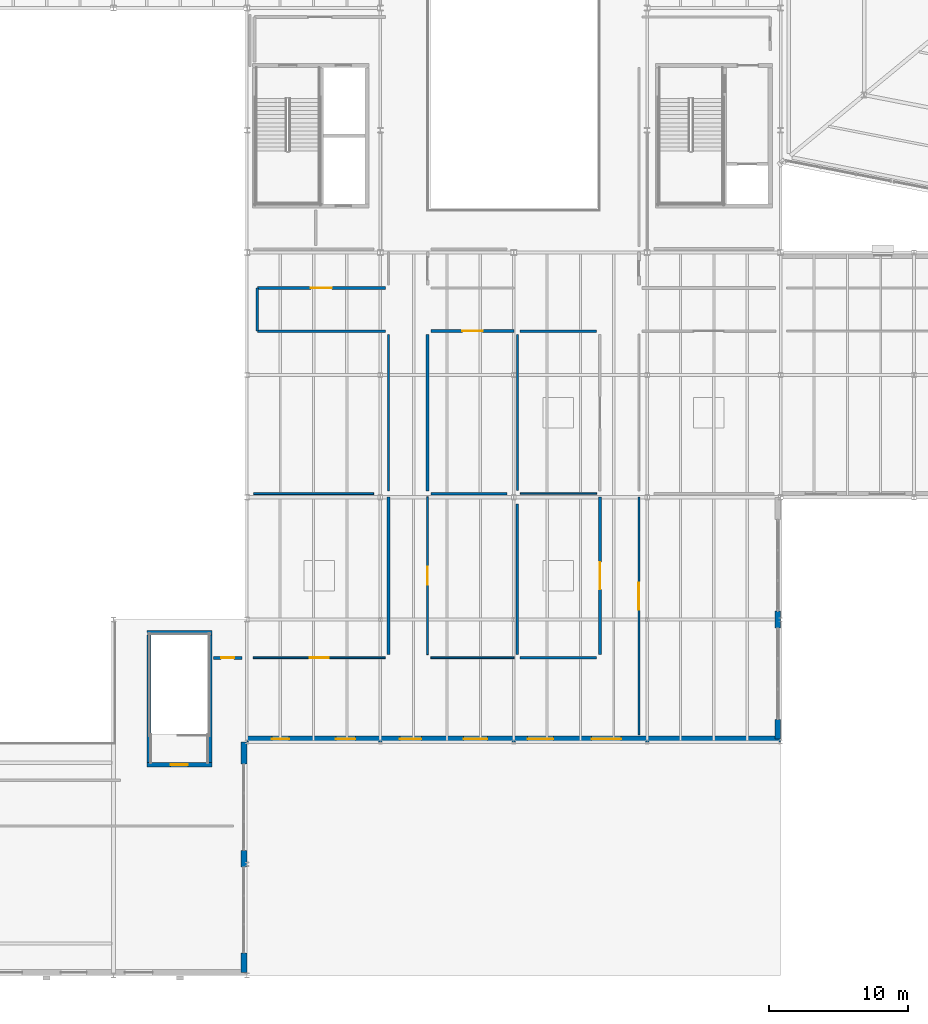
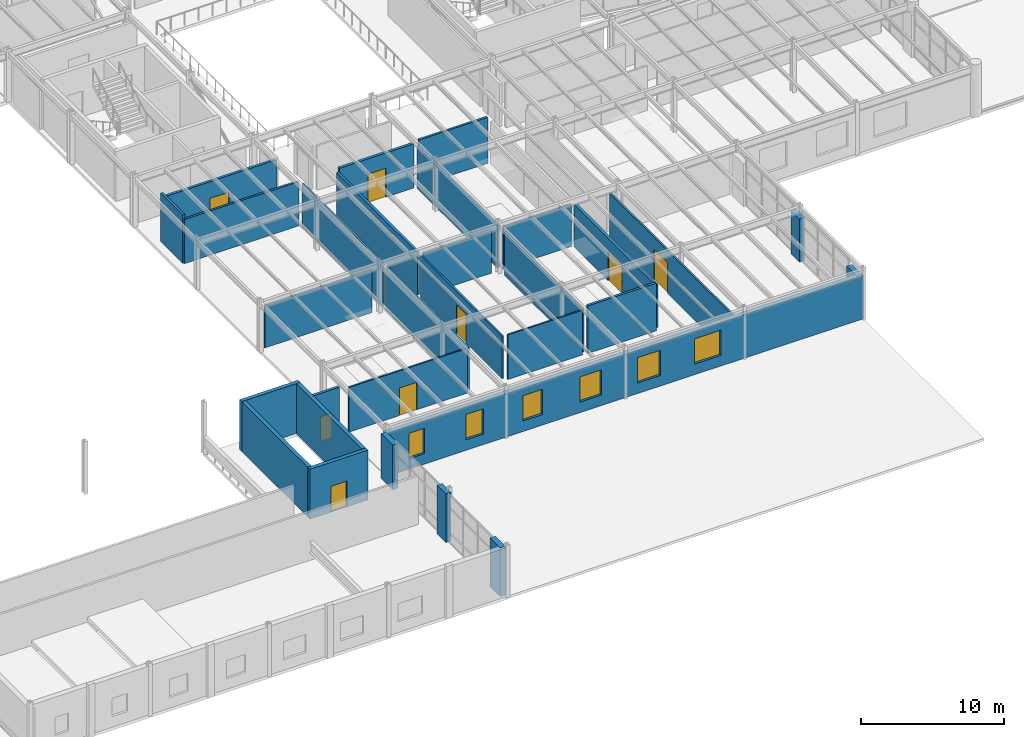
# One storey, part 57 of 77: 30 walls, 8 doors, 6 windows, 14 openings.
"""IFC4 building model written with IfcOpenShell, lengths in metres."""

from ifc_helpers import new_model, si_unit, direction, frame, frame_2d, origin, place, context, subcontext, project, spatial, rectangle, extrude, material, layer, layer_set, type_object, element, fill, save


model = new_model("IFC4")

# Units and contexts
model_context = context("Model", 3, precision=1e-05, world=origin(), true_north=direction((0.0, 1.0)))
body_context = subcontext(model_context, "Body", "Model", "MODEL_VIEW")
ifc_project = project(units=[si_unit("LENGTHUNIT", "METRE"), si_unit("AREAUNIT", "SQUARE_METRE"), si_unit("VOLUMEUNIT", "CUBIC_METRE"), si_unit("PLANEANGLEUNIT", "RADIAN"), si_unit("MASSUNIT", "GRAM", prefix="KILO")], contexts=[model_context])

# Site, building, storey
site_placement = place(None, origin())
site = spatial("IfcSite", under=ifc_project, at=site_placement, CompositionType="ELEMENT")
building_placement = place(site_placement, origin())
building = spatial("IfcBuilding", under=site, at=building_placement, Name="Sarnbrook Museum", CompositionType="ELEMENT")
storey_placement = place(building_placement, frame((0.0, 0.0, 5.60009765625)))
storey = spatial("IfcBuildingStorey", under=building, at=storey_placement, Name="L01", CompositionType="ELEMENT", Elevation=5.60009765625)

# Wall, opening, door
ifc_material_1 = material(Name="Concrete N50 (AS 3600, f'c = 50 MPa)", Category="concrete")
ifc_layer_1 = layer(ifc_material_1, 0.300048828125)
ifc_layer_set_1 = layer_set([ifc_layer_1], Name="Concrete N50 (AS 3600, f'c = 50 MPa)")
wall_type_1 = type_object("IfcWallType", Name="CoreWall_CWRC", PredefinedType="SHEAR", material=ifc_layer_set_1)
wall_1_placement = place(storey_placement, frame((73.60009765625, 19.949951171875, 0.0), z_axis=(0.0, 0.0, 1.0), x_axis=(1.0, 0.0, 0.0)))
wall_1 = element("IfcWall", 1, at=wall_1_placement, inside=storey, type_object=wall_type_1, Name="Core C8 Shear Wall S L01", PredefinedType="SHEAR", context=body_context, shape_type="SweptSolid", body=[
    extrude(rectangle(XDim=4.679931640625, YDim=0.300048828125, at=frame_2d((2.33984375, 0.0))), origin(), (0.0, 0.0, 1.0), 4.244873046875),
])
opening_1_placement = place(wall_1_placement, frame((1.715087890625, 0.0, 0.0)))
opening_1 = element("IfcOpeningElement", 2, at=opening_1_placement, cuts=wall_1, Name="Opening D-ST-ST8-L01", PredefinedType="OPENING", context=body_context, shape_type="SweptSolid", body=[
    extrude(rectangle(XDim=1.25, YDim=2.199951171875, at=frame_2d((0.625, 1.10009765625))), frame((0.0, 0.16015625, 0.0), z_axis=(0.0, -1.0, 0.0), x_axis=(1.0, 0.0, 0.0)), (0.0, 0.0, 1.0), 0.320068359375),
])
ifc_material_2 = material(Name="Tasmanian Oak Acoustic Timber", Category="wood")
door_type_1 = type_object("IfcDoorType", Name="FireDoor_FD120", OperationType="NOTDEFINED", PredefinedType="DOOR", material=ifc_material_2)
door_1_placement = place(opening_1_placement, origin())
door_1 = element("IfcDoor", 3, at=door_1_placement, inside=storey, type_object=door_type_1, Name="Exit Stair ST8 Fire Door L01", OperationType="SINGLE_SWING_RIGHT", OverallHeight=2.199951171875, OverallWidth=1.25, PredefinedType="DOOR", context=body_context, shape_type="SweptSolid", body=[
    extrude(rectangle(XDim=1.25, YDim=2.199951171875, at=frame_2d((0.625, 1.10009765625))), frame((0.0, 0.02490234375, 0.0), z_axis=(0.0, -1.0, 0.0), x_axis=(1.0, 0.0, 0.0)), (0.0, 0.0, 1.0), 0.050048828125),
])
fill(opening_1, door_1)

# Walls
wall_2_placement = place(storey_placement, frame((78.280029296875, 29.449951171875, 0.0), z_axis=(0.0, 0.0, 1.0), x_axis=(-1.0, 0.0, 0.0)))
element("IfcWall", 4, at=wall_2_placement, inside=storey, type_object=wall_type_1, Name="Core C8 Shear Wall N L01", PredefinedType="SHEAR", context=body_context, shape_type="SweptSolid", body=[
    extrude(rectangle(XDim=4.679931640625, YDim=0.300048828125, at=frame_2d((2.33984375, 0.0))), origin(), (0.0, 0.0, 1.0), 4.244873046875),
])
for number, where, z_axis, x_axis, name in (
    (5, (78.1298828125, 20.110107421875, 0.0), (0.0, 0.0, 1.0), (0.0, 1.0, 0.0), "Core C8 Shear Wall E L01"),
    (6, (73.75, 29.2900390625, 0.0), (0.0, 0.0, 1.0), (0.0, -1.0, 0.0), "Core C8 Shear Wall W L01"),
):
    element("IfcWall", number, at=place(storey_placement, frame(where, z_axis=z_axis, x_axis=x_axis)), inside=storey, type_object=wall_type_1, Name=name, PredefinedType="SHEAR", context=body_context, shape_type="SweptSolid", body=[
        extrude(rectangle(XDim=9.179931640625, YDim=0.300048828125, at=frame_2d((4.58984375, 0.0))), origin(), (0.0, 0.0, 1.0), 4.244873046875),
    ])

# Wall, opening, door
ifc_material_3 = material(Name="Fire-Rated Acoustic Gypsum Plasterboard")
ifc_layer_2 = layer(ifc_material_3, 0.1201171875)
ifc_layer_set_2 = layer_set([ifc_layer_2], Name="Fire-Rated Acoustic Gypsum Plasterboard")
wall_type_2 = type_object("IfcWallType", Name="PartWall_P120", PredefinedType="PARTITIONING", material=ifc_layer_set_2)
wall_3_placement = place(storey_placement, frame((90.77001953125, 27.64990234375, 0.0), z_axis=(0.0, 0.0, 1.0), x_axis=(-1.0, 0.0, 0.0)))
wall_3 = element("IfcWall", 7, at=wall_3_placement, inside=storey, type_object=wall_type_2, Name="Interior Partition Wall L01-0321", PredefinedType="PARTITIONING", context=body_context, shape_type="SweptSolid", body=[
    extrude(rectangle(XDim=9.52001953125, YDim=0.1201171875, at=frame_2d((4.760009765625, 0.0))), origin(), (0.0, 0.0, 1.0), 3.802978515625),
])
opening_2_placement = place(wall_3_placement, frame((4.070068359375, 0.0, 0.0)))
opening_2 = element("IfcOpeningElement", 8, at=opening_2_placement, cuts=wall_3, Name="Opening D-L01-100", PredefinedType="OPENING", context=body_context, shape_type="SweptSolid", body=[
    extrude(rectangle(XDim=1.3798828125, YDim=2.340087890625, at=frame_2d((0.68994140625, 1.169921875))), frame((0.0, 0.070068359375, 0.0), z_axis=(0.0, -1.0, 0.0), x_axis=(1.0, 0.0, 0.0)), (0.0, 0.0, 1.0), 0.14013671875),
])
door_type_2 = type_object("IfcDoorType", Name="IntDoor_DT24", OperationType="NOTDEFINED", PredefinedType="DOOR", material=ifc_material_2)
door_2_placement = place(opening_2_placement, frame((1.3798828125, 0.0, 0.0), z_axis=(0.0, 0.0, 1.0), x_axis=(-1.0, 0.0, 0.0)))
door_2 = element("IfcDoor", 9, at=door_2_placement, inside=storey, type_object=door_type_2, Name="Classical Casts & Reliefs Gallery L01-6 Door D-L01-100", OperationType="SINGLE_SWING_RIGHT", OverallHeight=2.340087890625, OverallWidth=1.3798828125, PredefinedType="DOOR", context=body_context, shape_type="SweptSolid", body=[
    extrude(rectangle(XDim=1.3798828125, YDim=2.340087890625, at=frame_2d((0.68994140625, 1.169921875))), frame((0.0, 0.02490234375, 0.0), z_axis=(0.0, -1.0, 0.0), x_axis=(1.0, 0.0, 0.0)), (0.0, 0.0, 1.0), 0.050048828125),
])
fill(opening_2, door_2)

# Walls
wall_4_placement = place(storey_placement, frame((100.030029296875, 27.64990234375, 0.0), z_axis=(0.0, 0.0, 1.0), x_axis=(-1.0, 0.0, 0.0)))
element("IfcWall", 10, at=wall_4_placement, inside=storey, type_object=wall_type_2, Name="Interior Partition Wall L01-0342", PredefinedType="PARTITIONING", context=body_context, shape_type="SweptSolid", body=[
    extrude(rectangle(XDim=6.0, YDim=0.1201171875, at=frame_2d((3.0, 0.0))), origin(), (0.0, 0.0, 1.0), 3.802978515625),
])
wall_5_placement = place(storey_placement, frame((100.47998046875, 39.4599609375, 0.0), z_axis=(0.0, 0.0, 1.0), x_axis=(1.0, 0.0, 0.0)))
element("IfcWall", 11, at=wall_5_placement, inside=storey, type_object=wall_type_2, Name="Interior Partition Wall L01-0433", PredefinedType="PARTITIONING", context=body_context, shape_type="SweptSolid", body=[
    extrude(rectangle(XDim=5.489990234375, YDim=0.1201171875, at=frame_2d((2.7451171875, 0.0))), origin(), (0.0, 0.0, 1.0), 3.61279296875),
])

# Wall, opening, door
ifc_layer_3 = layer(ifc_material_3, 0.135009765625)
ifc_layer_set_3 = layer_set([ifc_layer_3], Name="Fire-Rated Acoustic Gypsum Plasterboard")
wall_type_3 = type_object("IfcWallType", Name="PartWall_P135", PredefinedType="PARTITIONING", material=ifc_layer_set_3)
wall_6_placement = place(storey_placement, frame((93.800048828125, 27.8798828125, 0.0), z_axis=(0.0, 0.0, 1.0), x_axis=(0.0, 1.0, 0.0)))
wall_6 = element("IfcWall", 12, at=wall_6_placement, inside=storey, type_object=wall_type_3, Name="Interior Partition Wall L01-0341", PredefinedType="PARTITIONING", context=body_context, shape_type="SweptSolid", body=[
    extrude(rectangle(XDim=11.35009765625, YDim=0.135009765625, at=frame_2d((5.675048828125, 0.0))), origin(), (0.0, 0.0, 1.0), 3.61279296875),
])
opening_3_placement = place(wall_6_placement, frame((5.02490234375, 0.0, 0.0)))
opening_3 = element("IfcOpeningElement", 13, at=opening_3_placement, cuts=wall_6, Name="Opening D-L01-104", PredefinedType="OPENING", context=body_context, shape_type="SweptSolid", body=[
    extrude(rectangle(XDim=1.300048828125, YDim=2.4599609375, at=frame_2d((0.64990234375, 1.22998046875))), frame((0.0, 0.07763671875, 0.0), z_axis=(0.0, -1.0, 0.0), x_axis=(1.0, 0.0, 0.0)), (0.0, 0.0, 1.0), 0.155029296875),
])
door_type_3 = type_object("IfcDoorType", Name="IntDoor_DT28", OperationType="NOTDEFINED", PredefinedType="DOOR", material=ifc_material_2)
door_3_placement = place(opening_3_placement, origin())
door_3 = element("IfcDoor", 14, at=door_3_placement, inside=storey, type_object=door_type_3, Name="School Workshop Classroom L01-11 Door D-L01-104", OperationType="SINGLE_SWING_LEFT", OverallHeight=2.4599609375, OverallWidth=1.300048828125, PredefinedType="DOOR", context=body_context, shape_type="SweptSolid", body=[
    extrude(rectangle(XDim=1.300048828125, YDim=2.4599609375, at=frame_2d((0.64990234375, 1.22998046875))), frame((0.0, 0.02490234375, 0.0), z_axis=(0.0, -1.0, 0.0), x_axis=(1.0, 0.0, 0.0)), (0.0, 0.0, 1.0), 0.050048828125),
])
fill(opening_3, door_3)

# Walls
wall_7_placement = place(storey_placement, frame((81.280029296875, 39.4599609375, 0.0), z_axis=(0.0, 0.0, 1.0), x_axis=(1.0, 0.0, 0.0)))
element("IfcWall", 15, at=wall_7_placement, inside=storey, type_object=wall_type_3, Name="Interior Partition Wall L01-0425", PredefinedType="PARTITIONING", context=body_context, shape_type="SweptSolid", body=[
    extrude(rectangle(XDim=8.639892578125, YDim=0.135009765625, at=frame_2d((4.31982421875, 0.0))), origin(), (0.0, 0.0, 1.0), 3.61279296875),
])
ifc_layer_4 = layer(ifc_material_3, 0.14990234375)
ifc_layer_set_4 = layer_set([ifc_layer_4], Name="Fire-Rated Acoustic Gypsum Plasterboard")
wall_type_4 = type_object("IfcWallType", Name="PartWall_P150", PredefinedType="PARTITIONING", material=ifc_layer_set_4)
wall_8_placement = place(storey_placement, frame((91.0, 50.919921875, 0.0), z_axis=(0.0, 0.0, 1.0), x_axis=(0.0, -1.0, 0.0)))
element("IfcWall", 16, at=wall_8_placement, inside=storey, type_object=wall_type_4, Name="Interior Partition Wall L01-0326", PredefinedType="PARTITIONING", context=body_context, shape_type="SweptSolid", body=[
    extrude(rectangle(XDim=11.27001953125, YDim=0.14990234375, at=frame_2d((5.635009765625, 0.0))), origin(), (0.0, 0.0, 1.0), 3.61279296875),
])

# Wall, opening, door
wall_9_placement = place(storey_placement, frame((109.0, 22.10009765625, 0.0), z_axis=(0.0, 0.0, 1.0), x_axis=(0.0, 1.0, 0.0)))
wall_9 = element("IfcWall", 17, at=wall_9_placement, inside=storey, type_object=wall_type_4, Name="Interior Partition Wall L01-0361", PredefinedType="PARTITIONING", context=body_context, shape_type="SweptSolid", body=[
    extrude(rectangle(XDim=17.1298828125, YDim=0.14990234375, at=frame_2d((8.56494140625, 0.0))), origin(), (0.0, 0.0, 1.0), 3.61279296875),
])
opening_4_placement = place(wall_9_placement, frame((8.989990234375, 0.0, 0.0)))
opening_4 = element("IfcOpeningElement", 18, at=opening_4_placement, cuts=wall_9, Name="Opening D-L01-112", PredefinedType="OPENING", context=body_context, shape_type="SweptSolid", body=[
    extrude(rectangle(XDim=1.949951171875, YDim=2.580078125, at=frame_2d((0.97509765625, 1.2900390625))), frame((0.0, 0.0849609375, 0.0), z_axis=(0.0, -1.0, 0.0), x_axis=(1.0, 0.0, 0.0)), (0.0, 0.0, 1.0), 0.169921875),
])
door_type_4 = type_object("IfcDoorType", Name="IntDoor_DT36", OperationType="NOTDEFINED", PredefinedType="DOOR", material=ifc_material_2)
door_4_placement = place(opening_4_placement, origin())
door_4 = element("IfcDoor", 19, at=door_4_placement, inside=storey, type_object=door_type_4, Name="Wet Taxonomy Laboratory L01-19 Door D-L01-112", OperationType="DOUBLE_DOOR_SINGLE_SWING", OverallHeight=2.580078125, OverallWidth=1.949951171875, PredefinedType="DOOR", context=body_context, shape_type="SweptSolid", body=[
    extrude(rectangle(XDim=1.949951171875, YDim=2.580078125, at=frame_2d((0.97509765625, 1.2900390625))), frame((0.0, 0.02490234375, 0.0), z_axis=(0.0, -1.0, 0.0), x_axis=(1.0, 0.0, 0.0)), (0.0, 0.0, 1.0), 0.050048828125),
])
fill(opening_4, door_4)

# Walls
wall_10_placement = place(storey_placement, frame((100.260009765625, 50.919921875, 0.0), z_axis=(0.0, 0.0, 1.0), x_axis=(0.0, -1.0, 0.0)))
element("IfcWall", 20, at=wall_10_placement, inside=storey, type_object=wall_type_4, Name="Interior Partition Wall L01-0431", PredefinedType="PARTITIONING", context=body_context, shape_type="SweptSolid", body=[
    extrude(rectangle(XDim=11.239990234375, YDim=0.14990234375, at=frame_2d((5.6201171875, 0.0))), origin(), (0.0, 0.0, 1.0), 3.61279296875),
])
ifc_layer_5 = layer(ifc_material_3, 0.1650390625)
ifc_layer_set_5 = layer_set([ifc_layer_5], Name="Fire-Rated Acoustic Gypsum Plasterboard")
wall_type_5 = type_object("IfcWallType", Name="PartWall_P165", PredefinedType="PARTITIONING", material=ifc_layer_set_5)
wall_11_placement = place(storey_placement, frame((81.56005859375, 51.14990234375, 0.0), z_axis=(0.0, 0.0, 1.0), x_axis=(1.0, 0.0, 0.0)))
element("IfcWall", 21, at=wall_11_placement, inside=storey, type_object=wall_type_5, Name="Interior Partition Wall L01-0325", PredefinedType="PARTITIONING", context=body_context, shape_type="SweptSolid", body=[
    extrude(rectangle(XDim=9.2099609375, YDim=0.1650390625, at=frame_2d((4.60498046875, 0.0))), origin(), (0.0, 0.0, 1.0), 3.762939453125),
])
wall_12_placement = place(storey_placement, frame((100.449951171875, 51.14990234375, 0.0), z_axis=(0.0, 0.0, 1.0), x_axis=(1.0, 0.0, 0.0)))
element("IfcWall", 22, at=wall_12_placement, inside=storey, type_object=wall_type_5, Name="Interior Partition Wall L01-0353", PredefinedType="PARTITIONING", context=body_context, shape_type="SweptSolid", body=[
    extrude(rectangle(XDim=5.52001953125, YDim=0.1650390625, at=frame_2d((2.760009765625, 0.0))), origin(), (0.0, 0.0, 1.0), 3.916015625),
])
wall_13_placement = place(storey_placement, frame((100.260009765625, 38.719970703125, 0.0), z_axis=(0.0, 0.0, 1.0), x_axis=(0.0, -1.0, 0.0)))
element("IfcWall", 23, at=wall_13_placement, inside=storey, type_object=wall_type_5, Name="Interior Partition Wall L01-0430", PredefinedType="PARTITIONING", context=body_context, shape_type="SweptSolid", body=[
    extrude(rectangle(XDim=10.840087890625, YDim=0.1650390625, at=frame_2d((5.419921875, 0.0))), origin(), (0.0, 0.0, 1.0), 3.65283203125),
])
ifc_layer_6 = layer(ifc_material_3, 0.179931640625)
ifc_layer_set_6 = layer_set([ifc_layer_6], Name="Fire-Rated Acoustic Gypsum Plasterboard")
wall_type_6 = type_object("IfcWallType", Name="PartWall_P180", PredefinedType="PARTITIONING", material=ifc_layer_set_6)
wall_14_placement = place(storey_placement, frame((81.550048828125, 54.239990234375, 0.0), z_axis=(0.0, 0.0, 1.0), x_axis=(0.0, -1.0, 0.0)))
element("IfcWall", 24, at=wall_14_placement, inside=storey, type_object=wall_type_6, Name="Interior Partition Wall L01-0324", PredefinedType="PARTITIONING", context=body_context, shape_type="SweptSolid", body=[
    extrude(rectangle(XDim=3.080078125, YDim=0.179931640625, at=frame_2d((1.5400390625, 0.0))), origin(), (0.0, 0.0, 1.0), 4.1298828125),
])
wall_15_placement = place(storey_placement, frame((94.030029296875, 39.4599609375, 0.0), z_axis=(0.0, 0.0, 1.0), x_axis=(1.0, 0.0, 0.0)))
element("IfcWall", 25, at=wall_15_placement, inside=storey, type_object=wall_type_6, Name="Interior Partition Wall L01-0429", PredefinedType="PARTITIONING", context=body_context, shape_type="SweptSolid", body=[
    extrude(rectangle(XDim=5.489990234375, YDim=0.179931640625, at=frame_2d((2.7451171875, 0.0))), origin(), (0.0, 0.0, 1.0), 3.61279296875),
])

# Wall, opening, door
ifc_layer_7 = layer(ifc_material_3, 0.195068359375)
ifc_layer_set_7 = layer_set([ifc_layer_7], Name="Fire-Rated Acoustic Gypsum Plasterboard")
wall_type_7 = type_object("IfcWallType", Name="PartWall_P195", PredefinedType="PARTITIONING", material=ifc_layer_set_7)
wall_16_placement = place(storey_placement, frame((90.77001953125, 54.25, 0.0), z_axis=(0.0, 0.0, 1.0), x_axis=(-1.0, 0.0, 0.0)))
wall_16 = element("IfcWall", 26, at=wall_16_placement, inside=storey, type_object=wall_type_7, Name="Interior Partition Wall L01-0323", PredefinedType="PARTITIONING", context=body_context, shape_type="SweptSolid", body=[
    extrude(rectangle(XDim=9.2099609375, YDim=0.195068359375, at=frame_2d((4.60498046875, 0.0))), origin(), (0.0, 0.0, 1.0), 3.762939453125),
])
opening_5_placement = place(wall_16_placement, frame((3.844970703125, 0.0, 0.0)))
opening_5 = element("IfcOpeningElement", 27, at=opening_5_placement, cuts=wall_16, Name="Opening D-L01-101", PredefinedType="OPENING", context=body_context, shape_type="SweptSolid", body=[
    extrude(rectangle(XDim=1.52001953125, YDim=2.340087890625, at=frame_2d((0.760009765625, 1.169921875))), frame((0.0, 0.107421875, 0.0), z_axis=(0.0, -1.0, 0.0), x_axis=(1.0, 0.0, 0.0)), (0.0, 0.0, 1.0), 0.215087890625),
])
door_type_5 = type_object("IfcDoorType", Name="IntDoor_DT25", OperationType="NOTDEFINED", PredefinedType="DOOR", material=ifc_material_2)
door_5_placement = place(opening_5_placement, frame((1.52001953125, 0.0, 0.0), z_axis=(0.0, 0.0, 1.0), x_axis=(-1.0, 0.0, 0.0)))
door_5 = element("IfcDoor", 28, at=door_5_placement, inside=storey, type_object=door_type_5, Name="Digital Natural History Studio L01-7 Door D-L01-101", OperationType="SINGLE_SWING_LEFT", OverallHeight=2.340087890625, OverallWidth=1.52001953125, PredefinedType="DOOR", context=body_context, shape_type="SweptSolid", body=[
    extrude(rectangle(XDim=1.52001953125, YDim=2.340087890625, at=frame_2d((0.760009765625, 1.169921875))), frame((0.0, 0.02490234375, 0.0), z_axis=(0.0, -1.0, 0.0), x_axis=(1.0, 0.0, 0.0)), (0.0, 0.0, 1.0), 0.050048828125),
])
fill(opening_5, door_5)

# Walls
wall_17_placement = place(storey_placement, frame((93.800048828125, 39.64990234375, 0.0), z_axis=(0.0, 0.0, 1.0), x_axis=(0.0, 1.0, 0.0)))
element("IfcWall", 29, at=wall_17_placement, inside=storey, type_object=wall_type_7, Name="Interior Partition Wall L01-0344", PredefinedType="PARTITIONING", context=body_context, shape_type="SweptSolid", body=[
    extrude(rectangle(XDim=11.27001953125, YDim=0.195068359375, at=frame_2d((5.635009765625, 0.0))), origin(), (0.0, 0.0, 1.0), 3.61279296875),
])
wall_18_placement = place(storey_placement, frame((105.969970703125, 27.64990234375, 0.0), z_axis=(0.0, 0.0, 1.0), x_axis=(-1.0, 0.0, 0.0)))
element("IfcWall", 30, at=wall_18_placement, inside=storey, type_object=wall_type_7, Name="Interior Partition Wall L01-0351", PredefinedType="PARTITIONING", context=body_context, shape_type="SweptSolid", body=[
    extrude(rectangle(XDim=5.52001953125, YDim=0.195068359375, at=frame_2d((2.760009765625, 0.0))), origin(), (0.0, 0.0, 1.0), 4.052978515625),
])
ifc_layer_8 = layer(ifc_material_3, 0.2099609375)
ifc_layer_set_8 = layer_set([ifc_layer_8], Name="Fire-Rated Acoustic Gypsum Plasterboard")
wall_type_8 = type_object("IfcWallType", Name="PartWall_P210", PredefinedType="PARTITIONING", material=ifc_layer_set_8)
wall_19_placement = place(storey_placement, frame((91.0, 39.22998046875, 0.0), z_axis=(0.0, 0.0, 1.0), x_axis=(0.0, -1.0, 0.0)))
element("IfcWall", 31, at=wall_19_placement, inside=storey, type_object=wall_type_8, Name="Interior Partition Wall L01-0322", PredefinedType="PARTITIONING", context=body_context, shape_type="SweptSolid", body=[
    extrude(rectangle(XDim=11.35009765625, YDim=0.2099609375, at=frame_2d((5.675048828125, 0.0))), origin(), (0.0, 0.0, 1.0), 3.61279296875),
])

# Wall, opening, door
wall_20_placement = place(storey_placement, frame((94.030029296875, 51.14990234375, 0.0), z_axis=(0.0, 0.0, 1.0), x_axis=(1.0, 0.0, 0.0)))
wall_20 = element("IfcWall", 32, at=wall_20_placement, inside=storey, type_object=wall_type_8, Name="Interior Partition Wall L01-0343", PredefinedType="PARTITIONING", context=body_context, shape_type="SweptSolid", body=[
    extrude(rectangle(XDim=6.0, YDim=0.2099609375, at=frame_2d((3.0, 0.0))), origin(), (0.0, 0.0, 1.0), 3.762939453125),
])
opening_6_placement = place(wall_20_placement, frame((2.27001953125, 0.0, 0.0)))
opening_6 = element("IfcOpeningElement", 33, at=opening_6_placement, cuts=wall_20, Name="Opening D-L01-105", PredefinedType="OPENING", context=body_context, shape_type="SweptSolid", body=[
    extrude(rectangle(XDim=1.4599609375, YDim=2.4599609375, at=frame_2d((0.72998046875, 1.22998046875))), frame((0.0, 0.114990234375, 0.0), z_axis=(0.0, -1.0, 0.0), x_axis=(1.0, 0.0, 0.0)), (0.0, 0.0, 1.0), 0.22998046875),
])
door_type_6 = type_object("IfcDoorType", Name="IntDoor_DT29", OperationType="NOTDEFINED", PredefinedType="DOOR", material=ifc_material_2)
door_6_placement = place(opening_6_placement, origin())
door_6 = element("IfcDoor", 34, at=door_6_placement, inside=storey, type_object=door_type_6, Name="Wet Taxonomy Laboratory L01-12 Door D-L01-105", OperationType="SINGLE_SWING_RIGHT", OverallHeight=2.4599609375, OverallWidth=1.4599609375, PredefinedType="DOOR", context=body_context, shape_type="SweptSolid", body=[
    extrude(rectangle(XDim=1.4599609375, YDim=2.4599609375, at=frame_2d((0.72998046875, 1.22998046875))), frame((0.0, 0.02490234375, 0.0), z_axis=(0.0, -1.0, 0.0), x_axis=(1.0, 0.0, 0.0)), (0.0, 0.0, 1.0), 0.050048828125),
])
fill(opening_6, door_6)

wall_21_placement = place(storey_placement, frame((106.199951171875, 39.22998046875, 0.0), z_axis=(0.0, 0.0, 1.0), x_axis=(0.0, -1.0, 0.0)))
wall_21 = element("IfcWall", 35, at=wall_21_placement, inside=storey, type_object=wall_type_8, Name="Interior Partition Wall L01-0350", PredefinedType="PARTITIONING", context=body_context, shape_type="SweptSolid", body=[
    extrude(rectangle(XDim=11.35009765625, YDim=0.2099609375, at=frame_2d((5.675048828125, 0.0))), origin(), (0.0, 0.0, 1.0), 3.61279296875),
])
opening_7_placement = place(wall_21_placement, frame((4.695068359375, 0.0, 0.0)))
opening_7 = element("IfcOpeningElement", 36, at=opening_7_placement, cuts=wall_21, Name="Opening D-L01-108", PredefinedType="OPENING", context=body_context, shape_type="SweptSolid", body=[
    extrude(rectangle(XDim=1.9599609375, YDim=2.4599609375, at=frame_2d((0.97998046875, 1.22998046875))), frame((0.0, 0.114990234375, 0.0), z_axis=(0.0, -1.0, 0.0), x_axis=(1.0, 0.0, 0.0)), (0.0, 0.0, 1.0), 0.22998046875),
])
door_type_7 = type_object("IfcDoorType", Name="IntDoor_DT32", OperationType="NOTDEFINED", PredefinedType="DOOR", material=ifc_material_2)
door_7_placement = place(opening_7_placement, frame((1.9599609375, 0.0, 0.0), z_axis=(0.0, 0.0, 1.0), x_axis=(-1.0, 0.0, 0.0)))
door_7 = element("IfcDoor", 37, at=door_7_placement, inside=storey, type_object=door_type_7, Name="Marine Biodiversity Gallery L01-15 Door D-L01-108", OperationType="DOUBLE_DOOR_SINGLE_SWING", OverallHeight=2.4599609375, OverallWidth=1.9599609375, PredefinedType="DOOR", context=body_context, shape_type="SweptSolid", body=[
    extrude(rectangle(XDim=1.9599609375, YDim=2.4599609375, at=frame_2d((0.97998046875, 1.22998046875))), frame((0.0, 0.02490234375, 0.0), z_axis=(0.0, -1.0, 0.0), x_axis=(1.0, 0.0, 0.0)), (0.0, 0.0, 1.0), 0.050048828125),
])
fill(opening_7, door_7)

wall_22_placement = place(storey_placement, frame((80.43994140625, 27.64990234375, 0.0), z_axis=(0.0, 0.0, 1.0), x_axis=(-1.0, 0.0, 0.0)))
wall_22 = element("IfcWall", 38, at=wall_22_placement, inside=storey, type_object=wall_type_8, Name="Interior Partition Wall L01-0371", PredefinedType="PARTITIONING", context=body_context, shape_type="SweptSolid", body=[
    extrude(rectangle(XDim=2.0400390625, YDim=0.2099609375, at=frame_2d((1.02001953125, 0.0))), origin(), (0.0, 0.0, 1.0), 4.1298828125),
])
opening_8_placement = place(wall_22_placement, frame((0.550048828125, 0.0, 0.0)))
opening_8 = element("IfcOpeningElement", 39, at=opening_8_placement, cuts=wall_22, Name="Opening D-L01-116", PredefinedType="OPENING", context=body_context, shape_type="SweptSolid", body=[
    extrude(rectangle(XDim=0.93994140625, YDim=2.080078125, at=frame_2d((0.469970703125, 1.0400390625))), frame((0.0, 0.114990234375, 0.0), z_axis=(0.0, -1.0, 0.0), x_axis=(1.0, 0.0, 0.0)), (0.0, 0.0, 1.0), 0.22998046875),
])
door_type_8 = type_object("IfcDoorType", Name="IntDoor_DT02", OperationType="NOTDEFINED", PredefinedType="DOOR", material=ifc_material_2)
door_8_placement = place(opening_8_placement, frame((0.93994140625, 0.0, 0.0), z_axis=(0.0, 0.0, 1.0), x_axis=(-1.0, 0.0, 0.0)))
door_8 = element("IfcDoor", 40, at=door_8_placement, inside=storey, type_object=door_type_8, Name="Auditorium Balcony Hall Door D-L01-116", OperationType="SINGLE_SWING_RIGHT", OverallHeight=2.080078125, OverallWidth=0.93994140625, PredefinedType="DOOR", context=body_context, shape_type="SweptSolid", body=[
    extrude(rectangle(XDim=0.93994140625, YDim=2.080078125, at=frame_2d((0.469970703125, 1.0400390625))), frame((0.0, 0.02490234375, 0.0), z_axis=(0.0, -1.0, 0.0), x_axis=(1.0, 0.0, 0.0)), (0.0, 0.0, 1.0), 0.050048828125),
])
fill(opening_8, door_8)

# Wall, openings, windows
ifc_material_4 = material(Name="Barrabool Sandstone Ashlar Cladding", Category="masonry")
ifc_layer_9 = layer(ifc_material_4, 0.419921875)
ifc_layer_set_9 = layer_set([ifc_layer_9], Name="Barrabool Sandstone Ashlar Cladding")
wall_type_9 = type_object("IfcWallType", Name="Wall_SandstoneExt420", PredefinedType="SOLIDWALL", material=ifc_layer_set_9)
wall_23_placement = place(storey_placement, frame((80.800048828125, 21.81005859375, 0.0), z_axis=(0.0, 0.0, 1.0), x_axis=(1.0, 0.0, 0.0)))
wall_23 = element("IfcWall", 41, at=wall_23_placement, inside=storey, type_object=wall_type_9, Name="Classical Sandstone Facade Wall L01-01", PredefinedType="SOLIDWALL", context=body_context, shape_type="SweptSolid", body=[
    extrude(rectangle(XDim=38.39990234375, YDim=0.419921875, at=frame_2d((19.199951171875, 0.0))), origin(), (0.0, 0.0, 1.0), 3.66796875),
])
opening_9_placement = place(wall_23_placement, frame((1.800048828125, 0.0, 0.89990234375)))
opening_9 = element("IfcOpeningElement", 42, at=opening_9_placement, cuts=wall_23, Name="Opening WT-25", PredefinedType="OPENING", context=body_context, shape_type="SweptSolid", body=[
    extrude(rectangle(XDim=1.25, YDim=2.14990234375, at=frame_2d((0.625, 1.074951171875))), frame((0.0, 0.219970703125, 0.0), z_axis=(0.0, -1.0, 0.0), x_axis=(1.0, 0.0, 0.0)), (0.0, 0.0, 1.0), 0.43994140625),
])
opening_10_placement = place(wall_23_placement, frame((6.39990234375, 0.0, 0.89990234375)))
opening_10 = element("IfcOpeningElement", 43, at=opening_10_placement, cuts=wall_23, Name="Opening WT-26", PredefinedType="OPENING", context=body_context, shape_type="SweptSolid", body=[
    extrude(rectangle(XDim=1.39990234375, YDim=2.14990234375, at=frame_2d((0.699951171875, 1.074951171875))), frame((0.0, 0.219970703125, 0.0), z_axis=(0.0, -1.0, 0.0), x_axis=(1.0, 0.0, 0.0)), (0.0, 0.0, 1.0), 0.43994140625),
])
opening_11_placement = place(wall_23_placement, frame((11.0, 0.0, 0.89990234375)))
opening_11 = element("IfcOpeningElement", 44, at=opening_11_placement, cuts=wall_23, Name="Opening WT-27", PredefinedType="OPENING", context=body_context, shape_type="SweptSolid", body=[
    extrude(rectangle(XDim=1.550048828125, YDim=2.14990234375, at=frame_2d((0.77490234375, 1.074951171875))), frame((0.0, 0.219970703125, 0.0), z_axis=(0.0, -1.0, 0.0), x_axis=(1.0, 0.0, 0.0)), (0.0, 0.0, 1.0), 0.43994140625),
])
opening_12_placement = place(wall_23_placement, frame((15.60009765625, 0.0, 0.89990234375)))
opening_12 = element("IfcOpeningElement", 45, at=opening_12_placement, cuts=wall_23, Name="Opening WT-28", PredefinedType="OPENING", context=body_context, shape_type="SweptSolid", body=[
    extrude(rectangle(XDim=1.699951171875, YDim=2.14990234375, at=frame_2d((0.85009765625, 1.074951171875))), frame((0.0, 0.219970703125, 0.0), z_axis=(0.0, -1.0, 0.0), x_axis=(1.0, 0.0, 0.0)), (0.0, 0.0, 1.0), 0.43994140625),
])
opening_13_placement = place(wall_23_placement, frame((20.199951171875, 0.0, 0.89990234375)))
opening_13 = element("IfcOpeningElement", 46, at=opening_13_placement, cuts=wall_23, Name="Opening WT-29", PredefinedType="OPENING", context=body_context, shape_type="SweptSolid", body=[
    extrude(rectangle(XDim=1.85009765625, YDim=2.14990234375, at=frame_2d((0.925048828125, 1.074951171875))), frame((0.0, 0.219970703125, 0.0), z_axis=(0.0, -1.0, 0.0), x_axis=(1.0, 0.0, 0.0)), (0.0, 0.0, 1.0), 0.43994140625),
])
opening_14_placement = place(wall_23_placement, frame((24.800048828125, 0.0, 0.89990234375)))
opening_14 = element("IfcOpeningElement", 47, at=opening_14_placement, cuts=wall_23, Name="Opening WT-30", PredefinedType="OPENING", context=body_context, shape_type="SweptSolid", body=[
    extrude(rectangle(XDim=2.1201171875, YDim=2.14990234375, at=frame_2d((1.06005859375, 1.074951171875))), frame((0.0, 0.219970703125, 0.0), z_axis=(0.0, -1.0, 0.0), x_axis=(1.0, 0.0, 0.0)), (0.0, 0.0, 1.0), 0.43994140625),
])
ifc_material_5 = material(Name="Double-Glazed Low-Iron Laminated Safety Glass", Category="glass")
window_type_1 = type_object("IfcWindowType", Name="Window_Classical_WT25", PartitioningType="SINGLE_PANEL", PredefinedType="WINDOW", material=ifc_material_5)
window_1_placement = place(opening_9_placement, origin())
window_1 = element("IfcWindow", 48, at=window_1_placement, inside=storey, type_object=window_type_1, Name="Classical Bronze Casement Window WIN:L01:0025", OverallHeight=2.14990234375, OverallWidth=1.25, PartitioningType="SINGLE_PANEL", PredefinedType="WINDOW", context=body_context, shape_type="SweptSolid", body=[
    extrude(rectangle(XDim=1.25, YDim=2.14990234375, at=frame_2d((0.625, 1.074951171875))), frame((0.0, 0.030029296875, 0.0), z_axis=(0.0, -1.0, 0.0), x_axis=(1.0, 0.0, 0.0)), (0.0, 0.0, 1.0), 0.06005859375),
])
fill(opening_9, window_1)
window_type_2 = type_object("IfcWindowType", Name="Window_Classical_WT26", PartitioningType="SINGLE_PANEL", PredefinedType="WINDOW", material=ifc_material_5)
window_2_placement = place(opening_10_placement, origin())
window_2 = element("IfcWindow", 49, at=window_2_placement, inside=storey, type_object=window_type_2, Name="Classical Bronze Casement Window WIN:L01:0026", OverallHeight=2.14990234375, OverallWidth=1.39990234375, PartitioningType="SINGLE_PANEL", PredefinedType="WINDOW", context=body_context, shape_type="SweptSolid", body=[
    extrude(rectangle(XDim=1.39990234375, YDim=2.14990234375, at=frame_2d((0.699951171875, 1.074951171875))), frame((0.0, 0.030029296875, 0.0), z_axis=(0.0, -1.0, 0.0), x_axis=(1.0, 0.0, 0.0)), (0.0, 0.0, 1.0), 0.06005859375),
])
fill(opening_10, window_2)
window_type_3 = type_object("IfcWindowType", Name="Window_Classical_WT27", PartitioningType="SINGLE_PANEL", PredefinedType="WINDOW", material=ifc_material_5)
window_3_placement = place(opening_11_placement, origin())
window_3 = element("IfcWindow", 50, at=window_3_placement, inside=storey, type_object=window_type_3, Name="Classical Bronze Casement Window WIN:L01:0027", OverallHeight=2.14990234375, OverallWidth=1.550048828125, PartitioningType="SINGLE_PANEL", PredefinedType="WINDOW", context=body_context, shape_type="SweptSolid", body=[
    extrude(rectangle(XDim=1.550048828125, YDim=2.14990234375, at=frame_2d((0.77490234375, 1.074951171875))), frame((0.0, 0.030029296875, 0.0), z_axis=(0.0, -1.0, 0.0), x_axis=(1.0, 0.0, 0.0)), (0.0, 0.0, 1.0), 0.06005859375),
])
fill(opening_11, window_3)
window_type_4 = type_object("IfcWindowType", Name="Window_Classical_WT28", PartitioningType="SINGLE_PANEL", PredefinedType="WINDOW", material=ifc_material_5)
window_4_placement = place(opening_12_placement, origin())
window_4 = element("IfcWindow", 51, at=window_4_placement, inside=storey, type_object=window_type_4, Name="Classical Bronze Casement Window WIN:L01:0028", OverallHeight=2.14990234375, OverallWidth=1.699951171875, PartitioningType="SINGLE_PANEL", PredefinedType="WINDOW", context=body_context, shape_type="SweptSolid", body=[
    extrude(rectangle(XDim=1.699951171875, YDim=2.14990234375, at=frame_2d((0.85009765625, 1.074951171875))), frame((0.0, 0.030029296875, 0.0), z_axis=(0.0, -1.0, 0.0), x_axis=(1.0, 0.0, 0.0)), (0.0, 0.0, 1.0), 0.06005859375),
])
fill(opening_12, window_4)
window_type_5 = type_object("IfcWindowType", Name="Window_Classical_WT29", PartitioningType="SINGLE_PANEL", PredefinedType="WINDOW", material=ifc_material_5)
window_5_placement = place(opening_13_placement, origin())
window_5 = element("IfcWindow", 52, at=window_5_placement, inside=storey, type_object=window_type_5, Name="Classical Bronze Casement Window WIN:L01:0029", OverallHeight=2.14990234375, OverallWidth=1.85009765625, PartitioningType="SINGLE_PANEL", PredefinedType="WINDOW", context=body_context, shape_type="SweptSolid", body=[
    extrude(rectangle(XDim=1.85009765625, YDim=2.14990234375, at=frame_2d((0.925048828125, 1.074951171875))), frame((0.0, 0.030029296875, 0.0), z_axis=(0.0, -1.0, 0.0), x_axis=(1.0, 0.0, 0.0)), (0.0, 0.0, 1.0), 0.06005859375),
])
fill(opening_13, window_5)
window_type_6 = type_object("IfcWindowType", Name="Window_Classical_WT30", PartitioningType="SINGLE_PANEL", PredefinedType="WINDOW", material=ifc_material_5)
window_6_placement = place(opening_14_placement, origin())
window_6 = element("IfcWindow", 53, at=window_6_placement, inside=storey, type_object=window_type_6, Name="Classical Bronze Casement Window WIN:L01:0030", OverallHeight=2.14990234375, OverallWidth=2.1201171875, PartitioningType="SINGLE_PANEL", PredefinedType="WINDOW", context=body_context, shape_type="SweptSolid", body=[
    extrude(rectangle(XDim=2.1201171875, YDim=2.14990234375, at=frame_2d((1.06005859375, 1.074951171875))), frame((0.0, 0.030029296875, 0.0), z_axis=(0.0, -1.0, 0.0), x_axis=(1.0, 0.0, 0.0)), (0.0, 0.0, 1.0), 0.06005859375),
])
fill(opening_14, window_6)

# Walls
wall_24_placement = place(storey_placement, frame((118.989990234375, 21.81591796875, 0.0), z_axis=(0.0, 0.0, 1.0), x_axis=(0.0, 1.0, 0.0)))
element("IfcWall", 54, at=wall_24_placement, inside=storey, type_object=wall_type_9, Name="Classical Sandstone Facade Pier L01-2.1", PredefinedType="SOLIDWALL", context=body_context, shape_type="SweptSolid", body=[
    extrude(rectangle(XDim=1.384033203125, YDim=0.419921875, at=frame_2d((0.69189453125, 0.0))), origin(), (0.0, 0.0, 1.0), 3.66796875),
])
wall_25_placement = place(storey_placement, frame((118.989990234375, 29.800048828125, 0.0), z_axis=(0.0, 0.0, 1.0), x_axis=(0.0, 1.0, 0.0)))
element("IfcWall", 55, at=wall_25_placement, inside=storey, type_object=wall_type_9, Name="Classical Sandstone Facade Pier L01-2.2", PredefinedType="SOLIDWALL", context=body_context, shape_type="SweptSolid", body=[
    extrude(rectangle(XDim=1.199951171875, YDim=0.419921875, at=frame_2d((0.60009765625, 0.0))), origin(), (0.0, 0.0, 1.0), 3.66796875),
])
wall_26_placement = place(storey_placement, frame((80.590087890625, 5.01611328125, 0.0), z_axis=(0.0, 0.0, 1.0), x_axis=(0.0, 1.0, 0.0)))
element("IfcWall", 56, at=wall_26_placement, inside=storey, type_object=wall_type_9, Name="Classical Sandstone Facade Pier L01-16.1", PredefinedType="SOLIDWALL", context=body_context, shape_type="SweptSolid", body=[
    extrude(rectangle(XDim=1.3837890625, YDim=0.419921875, at=frame_2d((0.69189453125, 0.0))), origin(), (0.0, 0.0, 1.0), 4.159912109375),
])
wall_27_placement = place(storey_placement, frame((80.590087890625, 12.60009765625, 0.0), z_axis=(0.0, 0.0, 1.0), x_axis=(0.0, 1.0, 0.0)))
element("IfcWall", 57, at=wall_27_placement, inside=storey, type_object=wall_type_9, Name="Classical Sandstone Facade Pier L01-16.2", PredefinedType="SOLIDWALL", context=body_context, shape_type="SweptSolid", body=[
    extrude(rectangle(XDim=1.199951171875, YDim=0.419921875, at=frame_2d((0.60009765625, 0.0))), origin(), (0.0, 0.0, 1.0), 4.159912109375),
])
wall_28_placement = place(storey_placement, frame((80.590087890625, 20.0, 0.0), z_axis=(0.0, 0.0, 1.0), x_axis=(0.0, 1.0, 0.0)))
element("IfcWall", 58, at=wall_28_placement, inside=storey, type_object=wall_type_9, Name="Classical Sandstone Facade Pier L01-16.3", PredefinedType="SOLIDWALL", context=body_context, shape_type="SweptSolid", body=[
    extrude(rectangle(XDim=1.60009765625, YDim=0.419921875, at=frame_2d((0.800048828125, 0.0))), origin(), (0.0, 0.0, 1.0), 3.81787109375),
])

save(model, "model.ifc")
